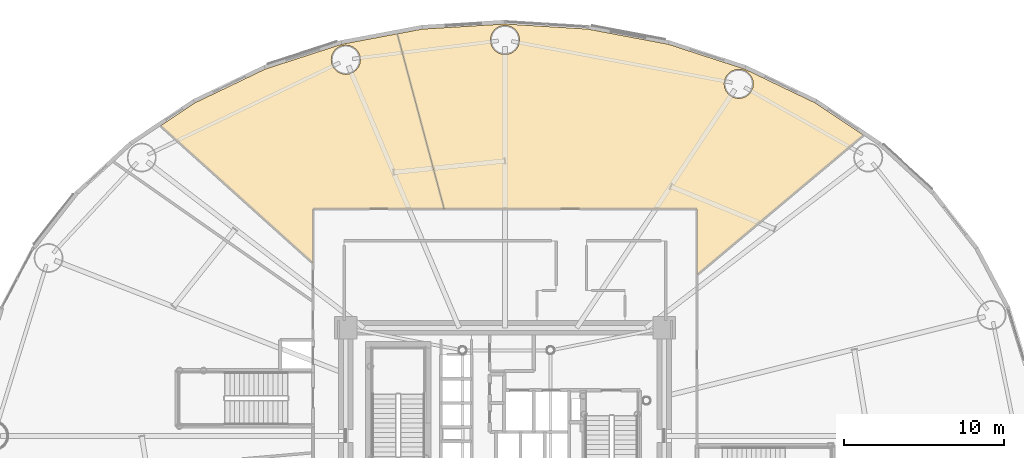
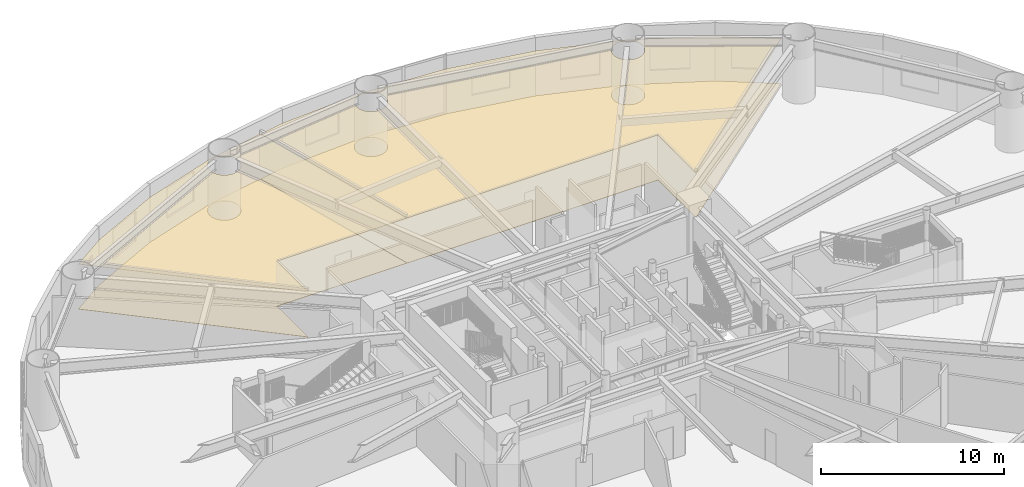
# One storey, part 31 of 31: 4 coverings.
"""IFC4 building model written with IfcOpenShell, lengths in metres."""

from ifc_helpers import new_model, si_unit, direction, frame, origin, place, context, subcontext, project, spatial, polyline, outline, extrude, material, layer, layer_set, type_object, element, save


model = new_model("IFC4")

# Units and contexts
model_context = context("Model", 3, precision=1e-05, world=origin(), true_north=direction((0.0, 1.0)))
body_context = subcontext(model_context, "Body", "Model", "MODEL_VIEW")
ifc_project = project(units=[si_unit("LENGTHUNIT", "METRE"), si_unit("AREAUNIT", "SQUARE_METRE"), si_unit("VOLUMEUNIT", "CUBIC_METRE"), si_unit("PLANEANGLEUNIT", "RADIAN"), si_unit("MASSUNIT", "GRAM", prefix="KILO")], contexts=[model_context])

# Site, building, storey
site_placement = place(None, origin())
site = spatial("IfcSite", under=ifc_project, at=site_placement, CompositionType="ELEMENT")
building_placement = place(site_placement, origin())
building = spatial("IfcBuilding", under=site, at=building_placement, Name="Linh Dai School and Residence Tower", CompositionType="ELEMENT")
storey_placement = place(building_placement, frame((0.0, 0.0, 6.0)))
storey = spatial("IfcBuildingStorey", under=building, at=storey_placement, Name="L01", CompositionType="ELEMENT", Elevation=6.0)

# Coverings
ifc_material_1 = material(Name="Mineral Fibre Acoustic Suspended Ceiling", Category="masonry")
ifc_layer_1 = layer(ifc_material_1, 0.02001953125)
ifc_layer_set_1 = layer_set([ifc_layer_1], Name="Mineral Fibre Acoustic Suspended Ceiling")
covering_type_1 = type_object("IfcCoveringType", Name="COV-CEIL-AC-20", PredefinedType="CEILING", material=ifc_layer_set_1)
covering_1_placement = place(storey_placement, frame((0.0, 0.0, 3.0)))
element("IfcCovering", 1, at=covering_1_placement, inside=storey, type_object=covering_type_1, Name="L01 Student Dining Hall and Refectory Suspended Ceiling", PredefinedType="CEILING", context=body_context, shape_type="SweptSolid", body=[
    extrude(outline(polyline([(36.0, 52.75), (41.162841796875, 52.431884765625), (46.19775390625, 51.485107421875), (50.979736328125, 49.93408203125), (55.390869140625, 47.817138671875), (58.40576171875, 45.80078125), (48.0, 37.069091796875), (48.0, 41.199951171875), (32.195068359375, 41.199951171875), (29.264892578125, 52.13623046875), (30.837158203125, 52.431884765625), (36.0, 52.75)]), holes=[polyline([(51.489990234375, 48.76904296875), (51.521240234375, 49.005126953125), (51.489990234375, 49.2412109375), (51.39892578125, 49.461181640625), (51.254150390625, 49.650146484375), (51.065185546875, 49.794921875), (50.84521484375, 49.885986328125), (50.609130859375, 49.917236328125), (50.373291015625, 49.885986328125), (50.1533203125, 49.794921875), (49.96435546875, 49.650146484375), (49.8193359375, 49.461181640625), (49.728271484375, 49.2412109375), (49.697265625, 49.005126953125), (49.728271484375, 48.76904296875), (49.8193359375, 48.54931640625), (49.96435546875, 48.3603515625), (50.1533203125, 48.21533203125), (50.373291015625, 48.124267578125), (50.609130859375, 48.09326171875), (50.84521484375, 48.124267578125), (51.065185546875, 48.21533203125), (51.254150390625, 48.3603515625), (51.39892578125, 48.54931640625), (51.489990234375, 48.76904296875)]), polyline([(36.880859375, 51.513916015625), (36.912109375, 51.75), (36.880859375, 51.986083984375), (36.789794921875, 52.2060546875), (36.64501953125, 52.39501953125), (36.4560546875, 52.539794921875), (36.236083984375, 52.630859375), (36.0, 52.662109375), (35.763916015625, 52.630859375), (35.5439453125, 52.539794921875), (35.35498046875, 52.39501953125), (35.210205078125, 52.2060546875), (35.119140625, 51.986083984375), (35.087890625, 51.75), (35.119140625, 51.513916015625), (35.210205078125, 51.2939453125), (35.35498046875, 51.10498046875), (35.5439453125, 50.960205078125), (35.763916015625, 50.869140625), (36.0, 50.837890625), (36.236083984375, 50.869140625), (36.4560546875, 50.960205078125), (36.64501953125, 51.10498046875), (36.789794921875, 51.2939453125), (36.880859375, 51.513916015625)])]), origin(), (0.0, 0.0, 1.0), 0.02001953125),
])
covering_2_placement = place(storey_placement, frame((0.0, 0.0, 3.0)))
element("IfcCovering", 2, at=covering_2_placement, inside=storey, type_object=covering_type_1, Name="L01 School Refectory Servery Hall Suspended Ceiling", PredefinedType="CEILING", context=body_context, shape_type="SweptSolid", body=[
    extrude(outline(polyline([(21.020263671875, 49.93408203125), (25.80224609375, 51.485107421875), (29.264892578125, 52.13623046875), (32.195068359375, 41.199951171875), (24.0, 41.199951171875), (24.0, 37.8046875), (14.469482421875, 46.385986328125), (16.609130859375, 47.817138671875), (21.020263671875, 49.93408203125)]), holes=[polyline([(26.9296875, 50.752197265625), (26.838623046875, 50.97216796875), (26.69384765625, 51.160888671875), (26.5048828125, 51.305908203125), (26.284912109375, 51.39697265625), (26.048828125, 51.427978515625), (25.812744140625, 51.39697265625), (25.593017578125, 51.305908203125), (25.404052734375, 51.160888671875), (25.259033203125, 50.97216796875), (25.16796875, 50.752197265625), (25.136962890625, 50.51611328125), (25.16796875, 50.280029296875), (25.259033203125, 50.06005859375), (25.404052734375, 49.87109375), (25.593017578125, 49.726318359375), (25.812744140625, 49.635009765625), (26.048828125, 49.60400390625), (26.284912109375, 49.635009765625), (26.5048828125, 49.726318359375), (26.69384765625, 49.87109375), (26.838623046875, 50.06005859375), (26.9296875, 50.280029296875), (26.9609375, 50.51611328125), (26.9296875, 50.752197265625)])]), origin(), (0.0, 0.0, 1.0), 0.02001953125),
])
ifc_material_2 = material(Name="Polished Terrazzo Floor Finish", Category="masonry")
ifc_layer_2 = layer(ifc_material_2, 0.02490234375)
ifc_layer_set_2 = layer_set([ifc_layer_2], Name="Polished Terrazzo Floor Finish")
covering_type_2 = type_object("IfcCoveringType", Name="COV-FLR-TRZ-25", PredefinedType="FLOORING", material=ifc_layer_set_2)
covering_3_placement = place(storey_placement, origin())
element("IfcCovering", 3, at=covering_3_placement, inside=storey, type_object=covering_type_2, Name="L01 Student Dining Hall and Refectory Floor Finish", PredefinedType="FLOORING", context=body_context, shape_type="SweptSolid", body=[
    extrude(outline(polyline([(36.0, 52.75), (41.162841796875, 52.431884765625), (46.19775390625, 51.485107421875), (50.979736328125, 49.93408203125), (55.390869140625, 47.817138671875), (58.40576171875, 45.80078125), (48.0, 37.069091796875), (48.0, 41.199951171875), (32.195068359375, 41.199951171875), (29.264892578125, 52.13623046875), (30.837158203125, 52.431884765625), (36.0, 52.75)]), holes=[polyline([(51.489990234375, 48.76904296875), (51.521240234375, 49.005126953125), (51.489990234375, 49.2412109375), (51.39892578125, 49.461181640625), (51.254150390625, 49.650146484375), (51.065185546875, 49.794921875), (50.84521484375, 49.885986328125), (50.609130859375, 49.917236328125), (50.373291015625, 49.885986328125), (50.1533203125, 49.794921875), (49.96435546875, 49.650146484375), (49.8193359375, 49.461181640625), (49.728271484375, 49.2412109375), (49.697265625, 49.005126953125), (49.728271484375, 48.76904296875), (49.8193359375, 48.54931640625), (49.96435546875, 48.3603515625), (50.1533203125, 48.21533203125), (50.373291015625, 48.124267578125), (50.609130859375, 48.09326171875), (50.84521484375, 48.124267578125), (51.065185546875, 48.21533203125), (51.254150390625, 48.3603515625), (51.39892578125, 48.54931640625), (51.489990234375, 48.76904296875)]), polyline([(36.880859375, 51.513916015625), (36.912109375, 51.75), (36.880859375, 51.986083984375), (36.789794921875, 52.2060546875), (36.64501953125, 52.39501953125), (36.4560546875, 52.539794921875), (36.236083984375, 52.630859375), (36.0, 52.662109375), (35.763916015625, 52.630859375), (35.5439453125, 52.539794921875), (35.35498046875, 52.39501953125), (35.210205078125, 52.2060546875), (35.119140625, 51.986083984375), (35.087890625, 51.75), (35.119140625, 51.513916015625), (35.210205078125, 51.2939453125), (35.35498046875, 51.10498046875), (35.5439453125, 50.960205078125), (35.763916015625, 50.869140625), (36.0, 50.837890625), (36.236083984375, 50.869140625), (36.4560546875, 50.960205078125), (36.64501953125, 51.10498046875), (36.789794921875, 51.2939453125), (36.880859375, 51.513916015625)])]), origin(), (0.0, 0.0, 1.0), 0.02001953125),
])
covering_4_placement = place(storey_placement, origin())
element("IfcCovering", 4, at=covering_4_placement, inside=storey, type_object=covering_type_2, Name="L01 School Refectory Servery Hall Floor Finish", PredefinedType="FLOORING", context=body_context, shape_type="SweptSolid", body=[
    extrude(outline(polyline([(21.020263671875, 49.93408203125), (25.80224609375, 51.485107421875), (29.264892578125, 52.13623046875), (32.195068359375, 41.199951171875), (24.0, 41.199951171875), (24.0, 37.8046875), (14.469482421875, 46.385986328125), (16.609130859375, 47.817138671875), (21.020263671875, 49.93408203125)]), holes=[polyline([(26.9296875, 50.752197265625), (26.838623046875, 50.97216796875), (26.69384765625, 51.160888671875), (26.5048828125, 51.305908203125), (26.284912109375, 51.39697265625), (26.048828125, 51.427978515625), (25.812744140625, 51.39697265625), (25.593017578125, 51.305908203125), (25.404052734375, 51.160888671875), (25.259033203125, 50.97216796875), (25.16796875, 50.752197265625), (25.136962890625, 50.51611328125), (25.16796875, 50.280029296875), (25.259033203125, 50.06005859375), (25.404052734375, 49.87109375), (25.593017578125, 49.726318359375), (25.812744140625, 49.635009765625), (26.048828125, 49.60400390625), (26.284912109375, 49.635009765625), (26.5048828125, 49.726318359375), (26.69384765625, 49.87109375), (26.838623046875, 50.06005859375), (26.9296875, 50.280029296875), (26.9609375, 50.51611328125), (26.9296875, 50.752197265625)])]), origin(), (0.0, 0.0, 1.0), 0.02001953125),
])

save(model, "model.ifc")
